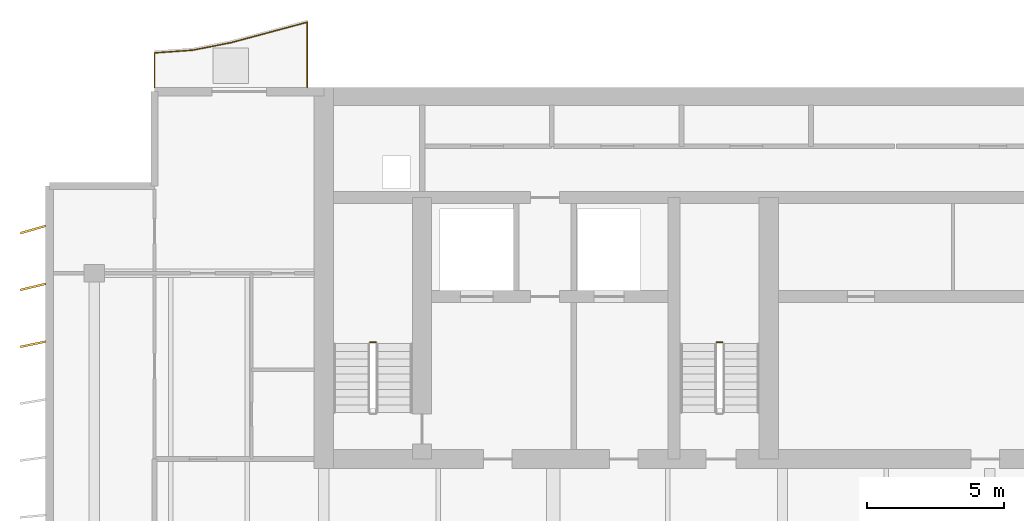
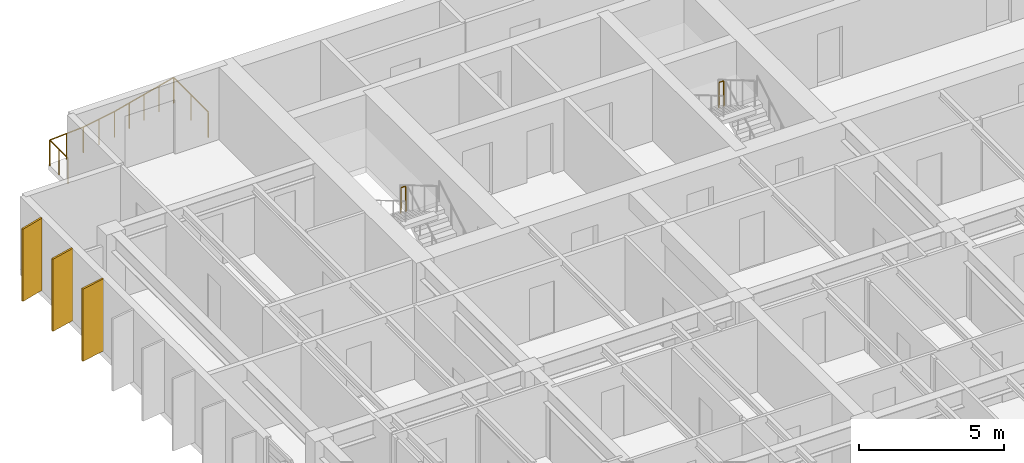
# One storey, part 16 of 17: 3 railings, 3 shading devices.
"""IFC4 building model written with IfcOpenShell, lengths in metres."""

from ifc_helpers import new_model, si_unit, direction, frame, origin, origin_2d, place, context, subcontext, project, spatial, rectangle, circle, extrude, material, material_profile, profile_set, type_object, element, save


model = new_model("IFC4")

# Units and contexts
model_context = context("Model", 3, precision=1e-05, world=origin(), true_north=direction((0.0, 1.0)))
body_context = subcontext(model_context, "Body", "Model", "MODEL_VIEW")
ifc_project = project(units=[si_unit("LENGTHUNIT", "METRE"), si_unit("AREAUNIT", "SQUARE_METRE"), si_unit("VOLUMEUNIT", "CUBIC_METRE"), si_unit("PLANEANGLEUNIT", "RADIAN"), si_unit("MASSUNIT", "GRAM", prefix="KILO")], contexts=[model_context])

# Site, building, storey
site_placement = place(None, origin())
site = spatial("IfcSite", under=ifc_project, at=site_placement, CompositionType="ELEMENT")
building_placement = place(site_placement, origin())
building = spatial("IfcBuilding", under=site, at=building_placement, Name="Caelmar Bay Residences", CompositionType="ELEMENT")
storey_placement = place(building_placement, frame((0.0, 0.0, 229.800048828125)))
storey = spatial("IfcBuildingStorey", under=building, at=storey_placement, Name="L64", CompositionType="ELEMENT", Elevation=229.800048828125)

# Railings
ifc_material_1 = material(Name="Anodised bronze handrail with laminated hurricane glass infill", Category="glass")
railing_type_1 = type_object("IfcRailingType", Name="RL-BAL-1100", PredefinedType="BALUSTRADE", material=ifc_material_1)
railing_placement = place(storey_placement, frame((17.699951171875, 50.60009765625, 0.0)))
element("IfcRailing", 1, at=railing_placement, inside=storey, type_object=railing_type_1, Name="L64 north_west Balcony Balustrade", PredefinedType="BALUSTRADE", context=body_context, shape_type="SweptSolid", body=[
    extrude(circle(Radius=0.02392578125, at=origin_2d()), frame((0.0, 0.0, 1.076171875), z_axis=(0.0, 1.0, 0.0), x_axis=(-1.0, 0.0, 0.0)), (0.0, 0.0, 1.0), 2.39501953125),
    extrude(circle(Radius=0.02392578125, at=origin_2d()), frame((0.0, 2.39501953125, 1.076171875), z_axis=(-0.965943540406, -0.258752926066, 0.0), x_axis=(0.258752926066, -0.965943540406, 0.0)), (0.0, 0.0, 1.0), 1.44921875),
    extrude(circle(Radius=0.02392578125, at=origin_2d()), frame((-1.39990234375, 2.02001953125, 1.076171875), z_axis=(-0.965954816498, -0.258710827923, 0.0), x_axis=(0.258710827923, -0.965954816498, 0.0)), (0.0, 0.0, 1.0), 1.449462890625),
    extrude(circle(Radius=0.02392578125, at=origin_2d()), frame((-2.800048828125, 1.64501953125, 1.076171875), z_axis=(-0.981291567128, -0.192527557206, 0.0), x_axis=(0.192527557206, -0.981291567128, 0.0)), (0.0, 0.0, 1.0), 1.426513671875),
    extrude(circle(Radius=0.02392578125, at=origin_2d()), frame((-4.199951171875, 1.370361328125, 1.076171875), z_axis=(-0.997441009083, -0.07149428928, 0.0), x_axis=(0.07149428928, -0.997441009083, 0.0)), (0.0, 0.0, 1.0), 1.403564453125),
    extrude(circle(Radius=0.02392578125, at=origin_2d()), frame((-5.599853515625, 1.27001953125, 1.076171875), z_axis=(0.0, -1.0, 0.0), x_axis=(1.0, 0.0, 0.0)), (0.0, 0.0, 1.0), 1.27001953125),
    extrude(circle(Radius=0.02099609375, at=origin_2d()), origin(), (0.0, 0.0, 1.0), 1.052001953125),
    extrude(circle(Radius=0.02099609375, at=origin_2d()), frame((0.0, 1.197509765625, 0.0)), (0.0, 0.0, 1.0), 1.052001953125),
    extrude(circle(Radius=0.02099609375, at=origin_2d()), frame((0.0, 2.39501953125, 0.0)), (0.0, 0.0, 1.0), 1.052001953125),
    extrude(circle(Radius=0.02099609375, at=origin_2d()), frame((-0.699951171875, 2.20751953125, 0.0)), (0.0, 0.0, 1.0), 1.052001953125),
    extrude(circle(Radius=0.02099609375, at=origin_2d()), frame((-1.39990234375, 2.02001953125, 0.0)), (0.0, 0.0, 1.0), 1.052001953125),
    extrude(circle(Radius=0.02099609375, at=origin_2d()), frame((-2.10009765625, 1.83251953125, 0.0)), (0.0, 0.0, 1.0), 1.052001953125),
    extrude(circle(Radius=0.02099609375, at=origin_2d()), frame((-2.800048828125, 1.64501953125, 0.0)), (0.0, 0.0, 1.0), 1.052001953125),
    extrude(circle(Radius=0.02099609375, at=origin_2d()), frame((-3.5, 1.5078125, 0.0)), (0.0, 0.0, 1.0), 1.052001953125),
    extrude(circle(Radius=0.02099609375, at=origin_2d()), frame((-4.199951171875, 1.370361328125, 0.0)), (0.0, 0.0, 1.0), 1.052001953125),
    extrude(circle(Radius=0.02099609375, at=origin_2d()), frame((-4.89990234375, 1.3203125, 0.0)), (0.0, 0.0, 1.0), 1.052001953125),
    extrude(circle(Radius=0.02099609375, at=origin_2d()), frame((-5.599853515625, 1.27001953125, 0.0)), (0.0, 0.0, 1.0), 1.052001953125),
    extrude(circle(Radius=0.02099609375, at=origin_2d()), frame((-5.599853515625, 0.635009765625, 0.0)), (0.0, 0.0, 1.0), 1.052001953125),
    extrude(circle(Radius=0.02099609375, at=origin_2d()), frame((-5.599853515625, 0.0, 0.0)), (0.0, 0.0, 1.0), 1.052001953125),
])
ifc_material_2 = material(Name="Painted galvanized steel stair guard 1100 mm", Category="steel")
railing_type_2 = type_object("IfcRailingType", Name="RL-GRD-1100", PredefinedType="GUARDRAIL", material=ifc_material_2)
for number, where, name in (
    (2, (20.199951171875, 41.27001953125, 1.64990234375), "L64 ST1 stair guard 2"),
    (3, (32.89990234375, 41.27001953125, 1.64990234375), "L64 ST3 stair guard 2"),
):
    element("IfcRailing", number, at=place(storey_placement, frame(where)), inside=storey, type_object=railing_type_2, Name=name, PredefinedType="GUARDRAIL", context=body_context, shape_type="SweptSolid", body=[
        extrude(circle(Radius=0.02392578125, at=origin_2d()), frame((0.0, 0.0, 1.076171875), z_axis=(-1.0, 0.0, 0.0), x_axis=(0.0, -1.0, 0.0)), (0.0, 0.0, 1.0), 0.199951171875),
        extrude(circle(Radius=0.02099609375, at=origin_2d()), origin(), (0.0, 0.0, 1.0), 1.052001953125),
        extrude(circle(Radius=0.02099609375, at=origin_2d()), frame((-0.199951171875, 0.0, 0.0)), (0.0, 0.0, 1.0), 1.052001953125),
    ])

# Shading devices
ifc_material_3 = material(Name="Anodised architectural bronze aluminium 6063-T6", Category="aluminium")
ifc_material_profile = material_profile(ifc_material_3, rectangle(XDim=0.074951171875, YDim=0.949951171875, at=origin_2d()), Name="BRONZE-FIN-75X950")
ifc_profile_set = profile_set([ifc_material_profile], Name="Anodised architectural bronze aluminium 6063-T6")
shading_device_type = type_object("IfcShadingDeviceType", Name="SHD-FIN-950", PredefinedType="USERDEFINED", material=ifc_profile_set)
for number, where, z_axis, x_axis, name in (
    (4, (7.64990234375, 41.199951171875, 0.0), (0.0, 0.0, 1.0), (-0.2032999874, 0.979116497217, 0.0), "L64 West Bronze Solar Fin 14"),
    (5, (7.64990234375, 43.300048828125, 0.0), (0.0, 0.0, 1.0), (-0.239719743609, 0.970842131618, 0.0), "L64 West Bronze Solar Fin 15"),
    (6, (7.64990234375, 45.39990234375, 0.0), (0.0, 0.0, 1.0), (-0.275637355817, 0.961261695938, 0.0), "L64 West Bronze Solar Fin 16"),
):
    element("IfcShadingDevice", number, at=place(storey_placement, frame(where, z_axis=z_axis, x_axis=x_axis)), inside=storey, type_object=shading_device_type, Name=name, ObjectType="FIN", PredefinedType="USERDEFINED", context=body_context, shape_type="SweptSolid", body=[
        extrude(rectangle(XDim=0.074951171875, YDim=0.949951171875, at=origin_2d()), origin(), (0.0, 0.0, 1.0), 3.050048828125),
    ])

save(model, "model.ifc")
